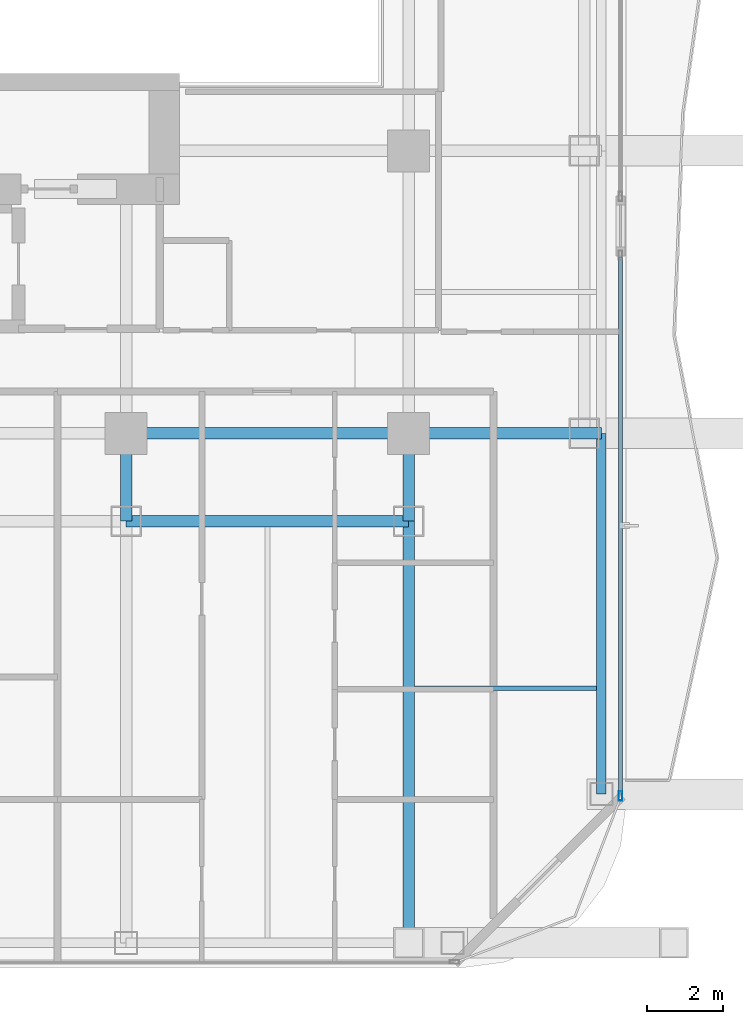
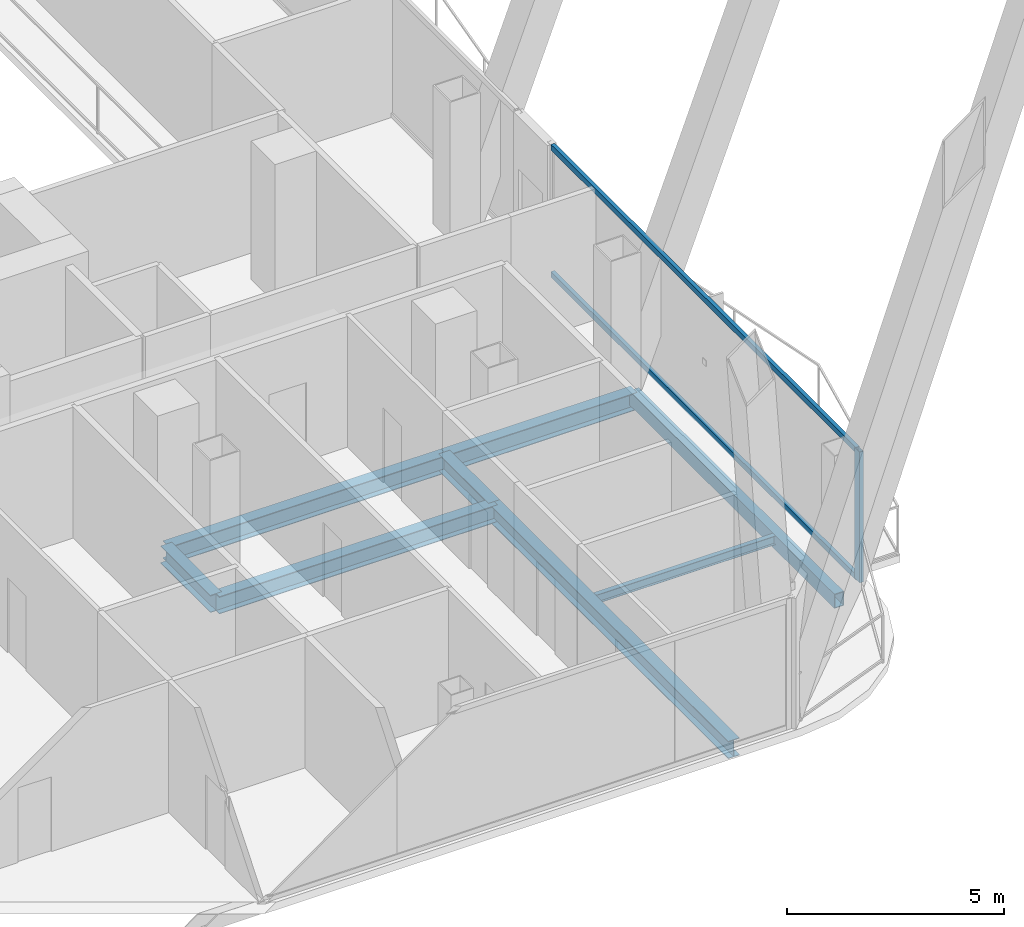
# One storey, part 10 of 27: 8 beams, 3 members, 1 element without a shape of its own.
"""IFC4 building model written with IfcOpenShell, lengths in metres."""

from ifc_helpers import new_model, si_unit, direction, frame, origin, origin_2d, place, context, subcontext, project, spatial, hollow_rectangle, i_section, extrude, material, layer, layer_set, material_profile, profile_set, type_object, element, aggregate, save


model = new_model("IFC4")

# Units and contexts
model_context = context("Model", 3, precision=1e-05, world=origin(), true_north=direction((0.0, 1.0)))
body_context = subcontext(model_context, "Body", "Model", "MODEL_VIEW")
ifc_project = project(units=[si_unit("LENGTHUNIT", "METRE"), si_unit("AREAUNIT", "SQUARE_METRE"), si_unit("VOLUMEUNIT", "CUBIC_METRE"), si_unit("PLANEANGLEUNIT", "RADIAN"), si_unit("MASSUNIT", "GRAM", prefix="KILO")], contexts=[model_context])

# Site, building, storey
site_placement = place(None, origin())
site = spatial("IfcSite", under=ifc_project, at=site_placement, CompositionType="ELEMENT")
building_placement = place(site_placement, origin())
building = spatial("IfcBuilding", under=site, at=building_placement, Name="Khorvyn Point Tower", CompositionType="ELEMENT")
storey_placement = place(building_placement, frame((0.0, 0.0, 203.10009765625)))
storey = spatial("IfcBuildingStorey", under=building, at=storey_placement, Name="L50", CompositionType="ELEMENT", Elevation=203.10009765625)

# Curtain wall, members
ifc_material_1 = material(Name="Anodised aluminium 6063-T6 and laminated Low-E glass", Category="aluminium")
ifc_layer = layer(ifc_material_1, 0.18994140625)
ifc_layer_set = layer_set([ifc_layer], Name="Stick-Built Acoustic Curtain Wall CW-SYS-03")
curtain_wall_type = type_object("IfcCurtainWallType", Name="Stick-Built Acoustic Curtain Wall CW-SYS-03", PredefinedType="NOTDEFINED", material=ifc_layer_set)
curtain_wall_placement = place(storey_placement, origin())
curtain_wall = element("IfcCurtainWall", 1, at=curtain_wall_placement, inside=storey, type_object=curtain_wall_type, Name="Curtain Wall", PredefinedType="NOTDEFINED")
ifc_material_2 = material(Name="Anodised aluminium 6063-T6", Category="aluminium")
ifc_material_profile_1 = material_profile(ifc_material_2, hollow_rectangle(XDim=0.10009765625, YDim=0.239990234375, WallThickness=0.0048828125, at=origin_2d()))
ifc_profile_set_1 = profile_set([ifc_material_profile_1], Name="Anodised aluminium 6063-T6 ALU-MUL-100x240")
member_type_1 = type_object("IfcMemberType", Name="Anodised Aluminium 6063-T6 Mullion ALU-MUL-100x240", PredefinedType="MULLION", material=ifc_profile_set_1)
member_1_placement = place(storey_placement, frame((20.35009765625, -24.300048828125, 0.0), z_axis=(0.0, 0.0, 1.0), x_axis=(1.0, 0.0, 0.0)))
member_1 = element("IfcMember", 2, at=member_1_placement, type_object=member_type_1, Name="Transom", PredefinedType="MULLION", context=body_context, shape_type="SweptSolid", body=[
    extrude(hollow_rectangle(XDim=0.10009765625, YDim=0.239990234375, WallThickness=0.0048828125, at=origin_2d()), origin(), (0.0, 0.0, 1.0), 3.679931640625),
])
ifc_material_profile_2 = material_profile(ifc_material_2, hollow_rectangle(XDim=0.10009765625, YDim=0.159912109375, WallThickness=0.00439453125, at=origin_2d()))
ifc_profile_set_2 = profile_set([ifc_material_profile_2], Name="Anodised aluminium 6063-T6 ALU-TRN-100x160")
member_type_2 = type_object("IfcMemberType", Name="Anodised Aluminium 6063-T6 Transom ALU-TRN-100x160", PredefinedType="USERDEFINED", material=ifc_profile_set_2)
member_2_placement = place(storey_placement, frame((20.35009765625, -10.18701171875, 0.0498046875), z_axis=(0.0, -1.0, 0.0), x_axis=(1.0, 0.0, 0.0)))
member_2 = element("IfcMember", 3, at=member_2_placement, type_object=member_type_2, Name="Transom", ObjectType="TRANSOM", PredefinedType="USERDEFINED", context=body_context, shape_type="SweptSolid", body=[
    extrude(hollow_rectangle(XDim=0.10009765625, YDim=0.159912109375, WallThickness=0.00439453125, at=origin_2d()), origin(), (0.0, 0.0, 1.0), 14.06298828125),
])
member_3_placement = place(storey_placement, frame((20.35009765625, -10.18701171875, 3.6298828125), z_axis=(0.0, -1.0, 0.0), x_axis=(1.0, 0.0, 0.0)))
member_3 = element("IfcMember", 4, at=member_3_placement, type_object=member_type_2, Name="Transom", ObjectType="TRANSOM", PredefinedType="USERDEFINED", context=body_context, shape_type="SweptSolid", body=[
    extrude(hollow_rectangle(XDim=0.10009765625, YDim=0.159912109375, WallThickness=0.00439453125, at=origin_2d()), origin(), (0.0, 0.0, 1.0), 14.06298828125),
])
aggregate(curtain_wall, [member_1, member_2, member_3])

# Beams
ifc_material_3 = material(Name="Steel S355", Category="steel")
ifc_material_profile_3 = material_profile(ifc_material_3, i_section(OverallWidth=0.125, OverallDepth=0.25, WebThickness=0.006103515625, FlangeThickness=0.009033203125, at=origin_2d()))
ifc_profile_set_3 = profile_set([ifc_material_profile_3], Name="Steel S355 H250x125x6x9")
beam_type_1 = type_object("IfcBeamType", Name="Steel S355 Joist H250x125x6x9", PredefinedType="JOIST", material=ifc_profile_set_3)
beam_1_placement = place(storey_placement, frame((14.949951171875, -21.47509765625, -0.34521484375), z_axis=(1.0, 0.0, 0.0), x_axis=(0.0, 1.0, 0.0)))
element("IfcBeam", 5, at=beam_1_placement, inside=storey, type_object=beam_type_1, Name="Beam", PredefinedType="JOIST", context=body_context, shape_type="SweptSolid", body=[
    extrude(i_section(OverallWidth=0.125, OverallDepth=0.25, WebThickness=0.006103515625, FlangeThickness=0.009033203125, at=origin_2d()), origin(), (0.0, 0.0, 1.0), 4.775146484375),
])
ifc_material_profile_4 = material_profile(ifc_material_3, i_section(OverallWidth=0.300048828125, OverallDepth=0.488037109375, WebThickness=0.010986328125, FlangeThickness=0.01806640625, at=origin_2d()))
ifc_profile_set_4 = profile_set([ifc_material_profile_4], Name="Steel S355 H488x300x11x18")
beam_type_2 = type_object("IfcBeamType", Name="Steel S355 Spandrel H488x300x11x18", PredefinedType="SPANDREL", material=ifc_profile_set_4)
beam_2_placement = place(storey_placement, frame((7.39990234375, -14.800048828125, -0.464111328125), z_axis=(1.0, 0.0, 0.0), x_axis=(0.0, 1.0, 0.0)))
element("IfcBeam", 6, at=beam_2_placement, inside=storey, type_object=beam_type_2, Name="Beam", PredefinedType="SPANDREL", context=body_context, shape_type="SweptSolid", body=[
    extrude(i_section(OverallWidth=0.300048828125, OverallDepth=0.488037109375, WebThickness=0.010986328125, FlangeThickness=0.01806640625, at=origin_2d()), origin(), (0.0, 0.0, 1.0), 7.400146484375),
])
beam_3_placement = place(storey_placement, frame((14.800048828125, -14.800048828125, -0.464111328125), z_axis=(1.0, 0.0, 0.0), x_axis=(0.0, 1.0, 0.0)))
element("IfcBeam", 7, at=beam_3_placement, inside=storey, type_object=beam_type_2, Name="Beam", PredefinedType="SPANDREL", context=body_context, shape_type="SweptSolid", body=[
    extrude(i_section(OverallWidth=0.300048828125, OverallDepth=0.488037109375, WebThickness=0.010986328125, FlangeThickness=0.01806640625, at=origin_2d()), origin(), (0.0, 0.0, 1.0), 5.050048828125),
])
beam_4_placement = place(storey_placement, frame((7.39990234375, -17.10009765625, -0.464111328125), z_axis=(1.0, 0.0, 0.0), x_axis=(0.0, 1.0, 0.0)))
element("IfcBeam", 8, at=beam_4_placement, inside=storey, type_object=beam_type_2, Name="Beam", PredefinedType="SPANDREL", context=body_context, shape_type="SweptSolid", body=[
    extrude(i_section(OverallWidth=0.300048828125, OverallDepth=0.488037109375, WebThickness=0.010986328125, FlangeThickness=0.01806640625, at=origin_2d()), origin(), (0.0, 0.0, 1.0), 7.400146484375),
])
beam_5_placement = place(storey_placement, frame((14.800048828125, -28.14990234375, -0.464111328125), z_axis=(0.0, 1.0, 0.0), x_axis=(-1.0, 0.0, 0.0)))
element("IfcBeam", 9, at=beam_5_placement, inside=storey, type_object=beam_type_2, Name="Beam", PredefinedType="SPANDREL", context=body_context, shape_type="SweptSolid", body=[
    extrude(i_section(OverallWidth=0.300048828125, OverallDepth=0.488037109375, WebThickness=0.010986328125, FlangeThickness=0.01806640625, at=origin_2d()), origin(), (0.0, 0.0, 1.0), 11.0498046875),
])
for number, where, z_axis, x_axis, name in (
    (10, (14.800048828125, -17.10009765625, -0.464111328125), (0.0, 1.0, 0.0), (-1.0, 0.0, 0.0), "Beam"),
    (11, (7.39990234375, -17.10009765625, -0.464111328125), (0.0, 1.0, 0.0), (-1.0, 0.0, 0.0), "Beam"),
):
    element("IfcBeam", number, at=place(storey_placement, frame(where, z_axis=z_axis, x_axis=x_axis)), inside=storey, type_object=beam_type_2, Name=name, PredefinedType="SPANDREL", context=body_context, shape_type="SweptSolid", body=[
        extrude(i_section(OverallWidth=0.300048828125, OverallDepth=0.488037109375, WebThickness=0.010986328125, FlangeThickness=0.01806640625, at=origin_2d()), origin(), (0.0, 0.0, 1.0), 2.300048828125),
    ])
ifc_material_profile_5 = material_profile(ifc_material_3, hollow_rectangle(XDim=0.25, YDim=0.39990234375, WallThickness=0.01611328125, at=origin_2d()))
ifc_profile_set_5 = profile_set([ifc_material_profile_5], Name="Steel S355 RHS400x250x16")
beam_type_3 = type_object("IfcBeamType", Name="Steel S355 Spandrel RHS400x250x16", PredefinedType="SPANDREL", material=ifc_profile_set_5)
beam_6_placement = place(storey_placement, frame((19.85009765625, -24.25, -0.420166015625), z_axis=(0.0, 1.0, 0.0), x_axis=(-1.0, 0.0, 0.0)))
element("IfcBeam", 12, at=beam_6_placement, inside=storey, type_object=beam_type_3, Name="Beam", PredefinedType="SPANDREL", context=body_context, shape_type="SweptSolid", body=[
    extrude(hollow_rectangle(XDim=0.25, YDim=0.39990234375, WallThickness=0.01611328125, at=origin_2d()), origin(), (0.0, 0.0, 1.0), 9.449951171875),
])

save(model, "model.ifc")
